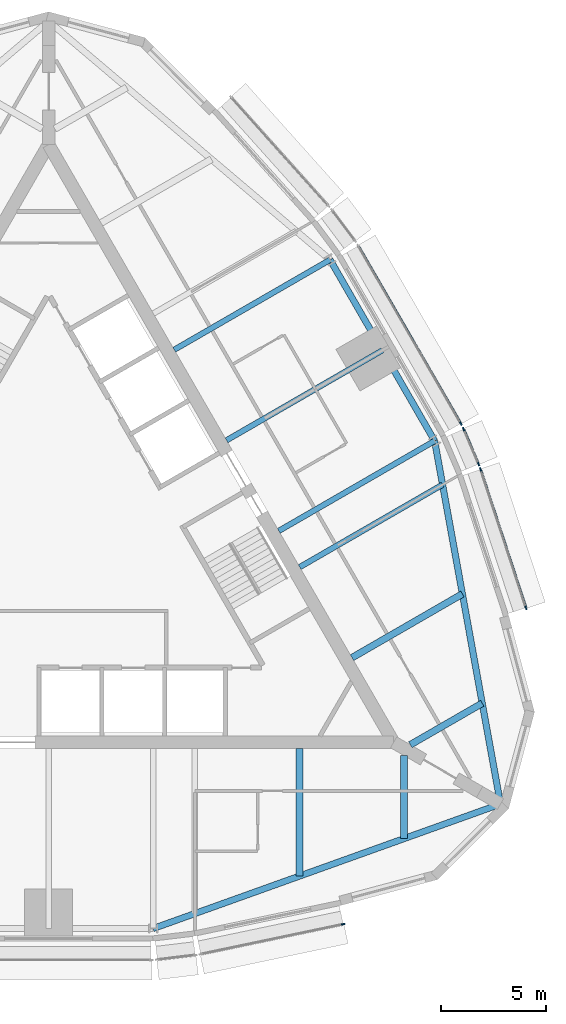
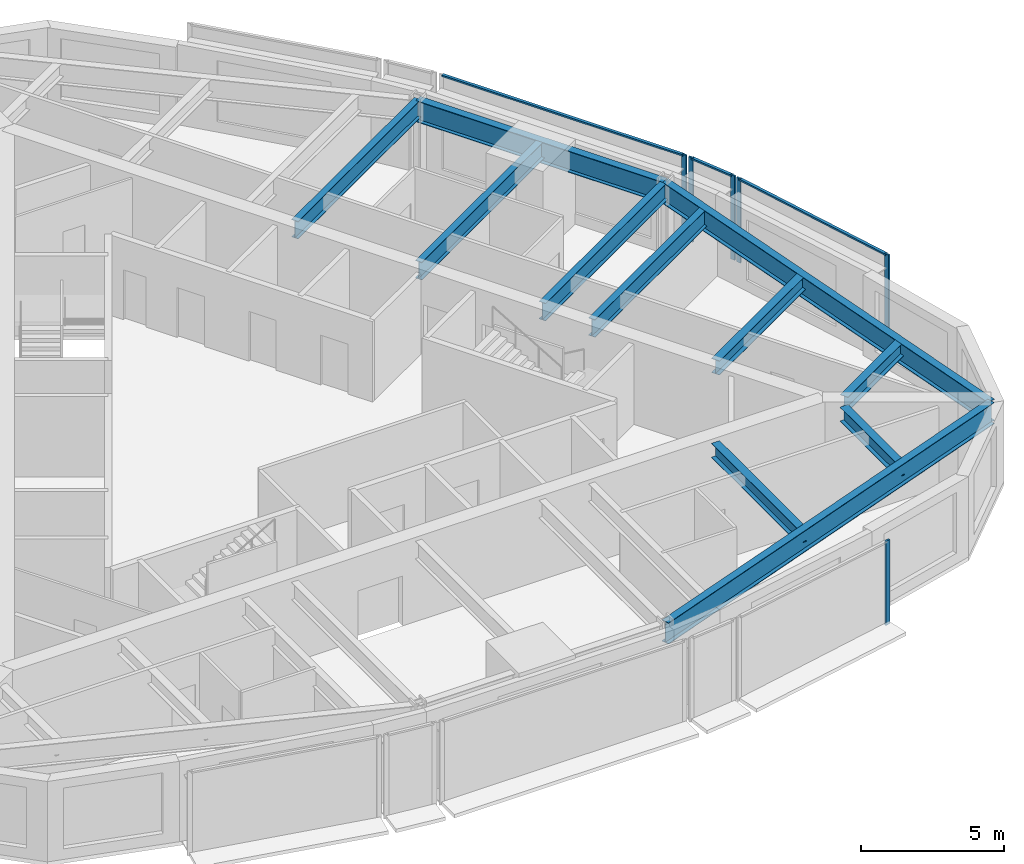
# One storey, part 4 of 12: 11 beams, 9 members, 4 elements without a shape of their own.
"""IFC4 building model written with IfcOpenShell, lengths in metres."""

from ifc_helpers import new_model, si_unit, direction, frame, origin, origin_2d, place, context, subcontext, project, spatial, rectangle, i_section, extrude, material, material_profile, profile_set, type_object, element, aggregate, save


model = new_model("IFC4")

# Units and contexts
model_context = context("Model", 3, precision=1e-05, world=origin(), true_north=direction((0.0, 1.0)))
body_context = subcontext(model_context, "Body", "Model", "MODEL_VIEW")
ifc_project = project(units=[si_unit("LENGTHUNIT", "METRE"), si_unit("AREAUNIT", "SQUARE_METRE"), si_unit("VOLUMEUNIT", "CUBIC_METRE"), si_unit("PLANEANGLEUNIT", "RADIAN"), si_unit("MASSUNIT", "GRAM", prefix="KILO")], contexts=[model_context])

# Site, building, storey
site_placement = place(None, origin())
site = spatial("IfcSite", under=ifc_project, at=site_placement, CompositionType="ELEMENT")
building_placement = place(site_placement, origin())
building = spatial("IfcBuilding", under=site, at=building_placement, Name="Trikona Tower", CompositionType="ELEMENT")
storey_placement = place(building_placement, frame((0.0, 0.0, 253.699951171875)))
storey = spatial("IfcBuildingStorey", under=building, at=storey_placement, Name="L67", CompositionType="ELEMENT", Elevation=253.699951171875)

# Curtain wall, member
ifc_material_1 = material(Name="Aluminium curtain wall system", Category="aluminium")
curtain_wall_type = type_object("IfcCurtainWallType", Name="Curtain wall DS3", PredefinedType="NOTDEFINED", material=ifc_material_1)
curtain_wall_1_placement = place(storey_placement, origin())
curtain_wall_1 = element("IfcCurtainWall", 1, at=curtain_wall_1_placement, inside=storey, type_object=curtain_wall_type, Name="Curtain wall DS3 L67", PredefinedType="NOTDEFINED")
ifc_material_2 = material(Name="Aluminium mullion, pale anodised", Category="aluminium")
ifc_material_profile_1 = material_profile(ifc_material_2, rectangle(XDim=0.070068359375, YDim=0.179931640625, at=origin_2d()), Name="MUL-DS3")
ifc_profile_set_1 = profile_set([ifc_material_profile_1], Name="Aluminium mullion, pale anodised")
member_type_1 = type_object("IfcMemberType", Name="Mullion DS3 70x180", PredefinedType="MULLION", material=ifc_profile_set_1)
member_1_placement = place(storey_placement, frame((14.092041015625, -18.220703125, 0.0), z_axis=(0.0, 0.0, 1.0), x_axis=(-0.205527448396, 0.978651351583, 0.0)))
member_1 = element("IfcMember", 2, at=member_1_placement, type_object=member_type_1, Name="CW-DS3 mullion 2", PredefinedType="MULLION", context=body_context, shape_type="SweptSolid", body=[
    extrude(rectangle(XDim=0.070068359375, YDim=0.179931640625, at=origin_2d()), origin(), (0.0, 0.0, 1.0), 3.60009765625),
])
aggregate(curtain_wall_1, [member_1])

# Curtain wall, members
curtain_wall_2_placement = place(storey_placement, origin())
curtain_wall_2 = element("IfcCurtainWall", 3, at=curtain_wall_2_placement, inside=storey, type_object=curtain_wall_type, Name="Curtain wall DS3 L67", PredefinedType="NOTDEFINED")
member_2_placement = place(storey_placement, frame((22.82568359375, -3.09375, 0.0), z_axis=(0.0, 0.0, 1.0), x_axis=(-0.95029742275, -0.311343553515, 0.0)))
member_2 = element("IfcMember", 4, at=member_2_placement, type_object=member_type_1, Name="CW-DS3 mullion 1", PredefinedType="MULLION", context=body_context, shape_type="SweptSolid", body=[
    extrude(rectangle(XDim=0.070068359375, YDim=0.179931640625, at=origin_2d()), origin(), (0.0, 0.0, 1.0), 3.60009765625),
])
member_3_placement = place(storey_placement, frame((20.657958984375, 3.52294921875, 0.0), z_axis=(0.0, 0.0, 1.0), x_axis=(-0.95029742275, -0.311343553515, 0.0)))
member_3 = element("IfcMember", 5, at=member_3_placement, type_object=member_type_1, Name="CW-DS3 mullion 2", PredefinedType="MULLION", context=body_context, shape_type="SweptSolid", body=[
    extrude(rectangle(XDim=0.070068359375, YDim=0.179931640625, at=origin_2d()), origin(), (0.0, 0.0, 1.0), 3.60009765625),
])

curtain_wall_3_placement = place(storey_placement, origin())
curtain_wall_3 = element("IfcCurtainWall", 6, at=curtain_wall_3_placement, inside=storey, type_object=curtain_wall_type, Name="Curtain wall DS3 L67", PredefinedType="NOTDEFINED")
member_4_placement = place(storey_placement, frame((20.563232421875, 3.7744140625, 0.0), z_axis=(0.0, 0.0, 1.0), x_axis=(-0.919420580163, -0.393275726143, 0.0)))
member_4 = element("IfcMember", 7, at=member_4_placement, type_object=member_type_1, Name="CW-DS3 mullion 1", PredefinedType="MULLION", context=body_context, shape_type="SweptSolid", body=[
    extrude(rectangle(XDim=0.070068359375, YDim=0.179931640625, at=origin_2d()), origin(), (0.0, 0.0, 1.0), 3.60009765625),
])
member_5_placement = place(storey_placement, frame((19.845703125, 5.45166015625, 0.0), z_axis=(0.0, 0.0, 1.0), x_axis=(-0.919420580163, -0.393275726143, 0.0)))
member_5 = element("IfcMember", 8, at=member_5_placement, type_object=member_type_1, Name="CW-DS3 mullion 2", PredefinedType="MULLION", context=body_context, shape_type="SweptSolid", body=[
    extrude(rectangle(XDim=0.070068359375, YDim=0.179931640625, at=origin_2d()), origin(), (0.0, 0.0, 1.0), 3.60009765625),
])

# Curtain wall, member
curtain_wall_4_placement = place(storey_placement, origin())
curtain_wall_4 = element("IfcCurtainWall", 9, at=curtain_wall_4_placement, inside=storey, type_object=curtain_wall_type, Name="Curtain wall DS3 L67", PredefinedType="NOTDEFINED")
member_6_placement = place(storey_placement, frame((19.712890625, 5.717529296875, 0.0), z_axis=(0.0, 0.0, 1.0), x_axis=(-0.866024619633, -0.500001358187, 0.0)))
member_6 = element("IfcMember", 10, at=member_6_placement, type_object=member_type_1, Name="CW-DS3 mullion 1", PredefinedType="MULLION", context=body_context, shape_type="SweptSolid", body=[
    extrude(rectangle(XDim=0.070068359375, YDim=0.179931640625, at=origin_2d()), origin(), (0.0, 0.0, 1.0), 3.60009765625),
])

# Beams
ifc_material_3 = material(Name="Steel ASTM A992 Grade 50", Category="steel")
ifc_material_profile_2 = material_profile(ifc_material_3, i_section(OverallWidth=0.3251953125, OverallDepth=0.612060546875, WebThickness=0.0126953125, FlangeThickness=0.01904296875, at=origin_2d()), Name="W24X104")
ifc_profile_set_2 = profile_set([ifc_material_profile_2], Name="Steel ASTM A992 Grade 50")
beam_type_1 = type_object("IfcBeamType", Name="Steel beam W24x104 (wedge upper)", PredefinedType="BEAM", material=ifc_profile_set_2)
beam_1_placement = place(storey_placement, frame((12.0, -9.826416015625, 3.12890625), z_axis=(0.0, -1.0, 0.0), x_axis=(1.0, 0.0, 0.0)))
element("IfcBeam", 11, at=beam_1_placement, inside=storey, type_object=beam_type_1, Name="Floor beam L68 F1 u12", PredefinedType="BEAM", context=body_context, shape_type="SweptSolid", body=[
    extrude(i_section(OverallWidth=0.3251953125, OverallDepth=0.612060546875, WebThickness=0.0126953125, FlangeThickness=0.01904296875, at=origin_2d()), origin(), (0.0, 0.0, 1.0), 6.094970703125),
])
for number, where, z_axis, x_axis, name in (
    (12, (17.0, -10.161376953125, 3.12890625), (0.0, -1.0, 0.0), (1.0, 0.0, 0.0), "Floor beam L68 F1 u17"),
    (13, (17.300048828125, -9.6416015625, 3.12890625), (0.866030866614, 0.499990537983, 0.0), (-0.499990537983, 0.866030866614, 0.0), "Floor beam L68 F2 u-17"),
):
    element("IfcBeam", number, at=place(storey_placement, frame(where, z_axis=z_axis, x_axis=x_axis)), inside=storey, type_object=beam_type_1, Name=name, PredefinedType="BEAM", context=body_context, shape_type="SweptSolid", body=[
        extrude(i_section(OverallWidth=0.3251953125, OverallDepth=0.612060546875, WebThickness=0.0126953125, FlangeThickness=0.01904296875, at=origin_2d()), origin(), (0.0, 0.0, 1.0), 3.9677734375),
    ])
beam_2_placement = place(storey_placement, frame((14.509765625, -5.479248046875, 3.12890625), z_axis=(0.866023498866, 0.500003299401, 0.0), x_axis=(-0.500003299401, 0.866023498866, 0.0)))
element("IfcBeam", 14, at=beam_2_placement, inside=storey, type_object=beam_type_1, Name="Floor beam L68 F2 u-12", PredefinedType="BEAM", context=body_context, shape_type="SweptSolid", body=[
    extrude(i_section(OverallWidth=0.3251953125, OverallDepth=0.612060546875, WebThickness=0.0126953125, FlangeThickness=0.01904296875, at=origin_2d()), origin(), (0.0, 0.0, 1.0), 6.09521484375),
])
ifc_material_4 = material(Name="Steel ASTM A992 Grade 50", Category="steel")
ifc_material_profile_3 = material_profile(ifc_material_4, i_section(OverallWidth=0.2666015625, OverallDepth=0.7568359375, WebThickness=0.013916015625, FlangeThickness=0.019287109375, at=origin_2d()), Name="W30X108")
ifc_profile_set_3 = profile_set([ifc_material_profile_3], Name="Steel ASTM A992 Grade 50")
beam_type_2 = type_object("IfcBeamType", Name="Steel beam W30x108 (radial upper)", PredefinedType="BEAM", material=ifc_profile_set_3)
beam_3_placement = place(storey_placement, frame((12.009765625, -1.14892578125, 3.056640625), z_axis=(0.866034560358, 0.499984140014, 0.0), x_axis=(-0.499984140014, 0.866034560358, 0.0)))
element("IfcBeam", 15, at=beam_3_placement, inside=storey, type_object=beam_type_2, Name="Floor beam L68 F2 u-7", PredefinedType="BEAM", context=body_context, shape_type="SweptSolid", body=[
    extrude(i_section(OverallWidth=0.2666015625, OverallDepth=0.7568359375, WebThickness=0.013916015625, FlangeThickness=0.019287109375, at=origin_2d()), origin(), (0.0, 0.0, 1.0), 7.887451171875),
])
beam_4_placement = place(storey_placement, frame((11.009765625, 0.5830078125, 3.056640625), z_axis=(0.866029182723, 0.49999345463, 0.0), x_axis=(-0.49999345463, 0.866029182723, 0.0)))
element("IfcBeam", 16, at=beam_4_placement, inside=storey, type_object=beam_type_2, Name="Floor beam L68 F2 u-5", PredefinedType="BEAM", context=body_context, shape_type="SweptSolid", body=[
    extrude(i_section(OverallWidth=0.2666015625, OverallDepth=0.7568359375, WebThickness=0.013916015625, FlangeThickness=0.019287109375, at=origin_2d()), origin(), (0.0, 0.0, 1.0), 8.60400390625),
])
beam_5_placement = place(storey_placement, frame((8.509765625, 4.9130859375, 3.056640625), z_axis=(0.866016896067, 0.50001473551, 0.0), x_axis=(-0.50001473551, 0.866016896067, 0.0)))
element("IfcBeam", 17, at=beam_5_placement, inside=storey, type_object=beam_type_2, Name="Floor beam L68 F2 u0", PredefinedType="BEAM", context=body_context, shape_type="SweptSolid", body=[
    extrude(i_section(OverallWidth=0.2666015625, OverallDepth=0.7568359375, WebThickness=0.013916015625, FlangeThickness=0.019287109375, at=origin_2d()), origin(), (0.0, 0.0, 1.0), 8.604248046875),
])
beam_6_placement = place(storey_placement, frame((6.009765625, 9.243408203125, 3.056640625), z_axis=(0.866029182723, 0.49999345463, 0.0), x_axis=(-0.49999345463, 0.866029182723, 0.0)))
element("IfcBeam", 18, at=beam_6_placement, inside=storey, type_object=beam_type_2, Name="Floor beam L68 F2 u5", PredefinedType="BEAM", context=body_context, shape_type="SweptSolid", body=[
    extrude(i_section(OverallWidth=0.2666015625, OverallDepth=0.7568359375, WebThickness=0.013916015625, FlangeThickness=0.019287109375, at=origin_2d()), origin(), (0.0, 0.0, 1.0), 8.60400390625),
])
ifc_material_5 = material(Name="Steel ASTM A992 Grade 50", Category="steel")
ifc_material_profile_4 = material_profile(ifc_material_5, i_section(OverallWidth=0.3046875, OverallDepth=0.911865234375, WebThickness=0.015869140625, FlangeThickness=0.02392578125, at=origin_2d()), Name="W36X150")
ifc_profile_set_4 = profile_set([ifc_material_profile_4], Name="Steel ASTM A992 Grade 50")
beam_type_3 = type_object("IfcBeamType", Name="Steel beam W36x150 (spandrel upper)", PredefinedType="SPANDREL", material=ifc_profile_set_4)
for number, where, z_axis, x_axis, name in (
    (19, (5.0, -18.430419921875, 2.979248046875), (0.941358144832, 0.337409014637, 0.0), (-0.337409014637, 0.941358144832, 0.0), "Spandrel beam L68 F1-3"),
    (20, (21.6103515625, -12.476806640625, 2.979248046875), (-0.178472662054, 0.983944870864, 0.0), (-0.983944870864, -0.178472662054, 0.0), "Spandrel beam L68 F2-1"),
):
    element("IfcBeam", number, at=place(storey_placement, frame(where, z_axis=z_axis, x_axis=x_axis)), inside=storey, type_object=beam_type_3, Name=name, PredefinedType="SPANDREL", context=body_context, shape_type="SweptSolid", body=[
        extrude(i_section(OverallWidth=0.3046875, OverallDepth=0.911865234375, WebThickness=0.015869140625, FlangeThickness=0.02392578125, at=origin_2d()), origin(), (0.0, 0.0, 1.0), 17.64501953125),
    ])
beam_7_placement = place(storey_placement, frame((18.461181640625, 4.885009765625, 2.979248046875), z_axis=(-0.499993662806, 0.866029062534, 0.0), x_axis=(-0.866029062534, -0.499993662806, 0.0)))
element("IfcBeam", 21, at=beam_7_placement, inside=storey, type_object=beam_type_3, Name="Spandrel beam L68 F2-2", PredefinedType="SPANDREL", context=body_context, shape_type="SweptSolid", body=[
    extrude(i_section(OverallWidth=0.3046875, OverallDepth=0.911865234375, WebThickness=0.015869140625, FlangeThickness=0.02392578125, at=origin_2d()), origin(), (0.0, 0.0, 1.0), 10.000244140625),
])

# Member
ifc_material_6 = material(Name="Aluminium transom, pale anodised", Category="aluminium")
ifc_material_profile_5 = material_profile(ifc_material_6, rectangle(XDim=0.1201171875, YDim=0.070068359375, at=origin_2d()), Name="TRN-DS3")
ifc_profile_set_5 = profile_set([ifc_material_profile_5], Name="Aluminium transom, pale anodised")
member_type_2 = type_object("IfcMemberType", Name="Transom DS3 70x120", PredefinedType="USERDEFINED", material=ifc_profile_set_5)
member_7_placement = place(storey_placement, frame((22.814697265625, -3.060302734375, 3.56494140625), z_axis=(-0.311346184, 0.950296560926, 0.0), x_axis=(-0.950296560926, -0.311346184, 0.0)))
member_7 = element("IfcMember", 22, at=member_7_placement, type_object=member_type_2, Name="CW-DS3 transom 1.1", ObjectType="TRANSOM", PredefinedType="USERDEFINED", context=body_context, shape_type="SweptSolid", body=[
    extrude(rectangle(XDim=0.1201171875, YDim=0.070068359375, at=origin_2d()), origin(), (0.0, 0.0, 1.0), 6.892578125),
])

aggregate(curtain_wall_2, [member_2, member_3, member_7])

member_8_placement = place(storey_placement, frame((20.549560546875, 3.806640625, 3.56494140625), z_axis=(-0.393314512783, 0.919403988481, 0.0), x_axis=(-0.919403988481, -0.393314512783, 0.0)))
member_8 = element("IfcMember", 23, at=member_8_placement, type_object=member_type_2, Name="CW-DS3 transom 1.1", ObjectType="TRANSOM", PredefinedType="USERDEFINED", context=body_context, shape_type="SweptSolid", body=[
    extrude(rectangle(XDim=0.1201171875, YDim=0.070068359375, at=origin_2d()), origin(), (0.0, 0.0, 1.0), 1.754150390625),
])

aggregate(curtain_wall_3, [member_4, member_5, member_8])

member_9_placement = place(storey_placement, frame((19.6953125, 5.747802734375, 3.56494140625), z_axis=(-0.500010305712, 0.866019453697, 0.0), x_axis=(-0.866019453697, -0.500010305712, 0.0)))
member_9 = element("IfcMember", 24, at=member_9_placement, type_object=member_type_2, Name="CW-DS3 transom 1.1", ObjectType="TRANSOM", PredefinedType="USERDEFINED", context=body_context, shape_type="SweptSolid", body=[
    extrude(rectangle(XDim=0.1201171875, YDim=0.070068359375, at=origin_2d()), origin(), (0.0, 0.0, 1.0), 9.739990234375),
])

aggregate(curtain_wall_4, [member_6, member_9])

save(model, "model.ifc")
